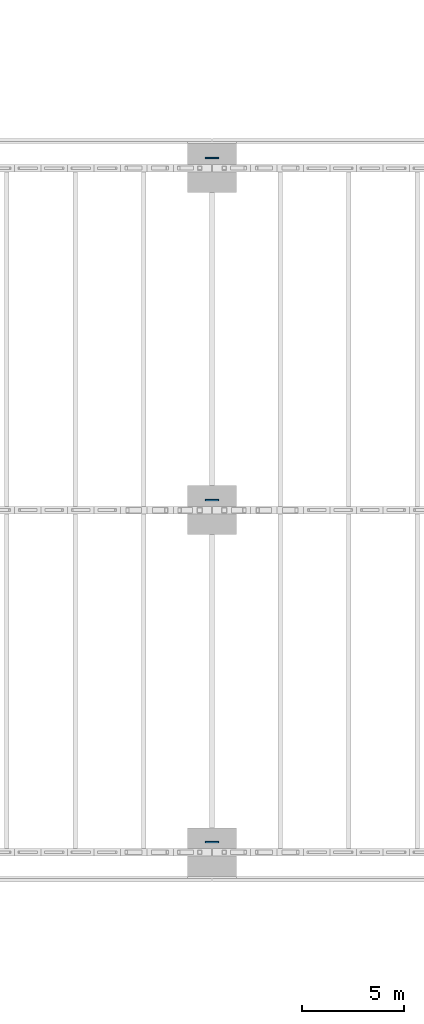
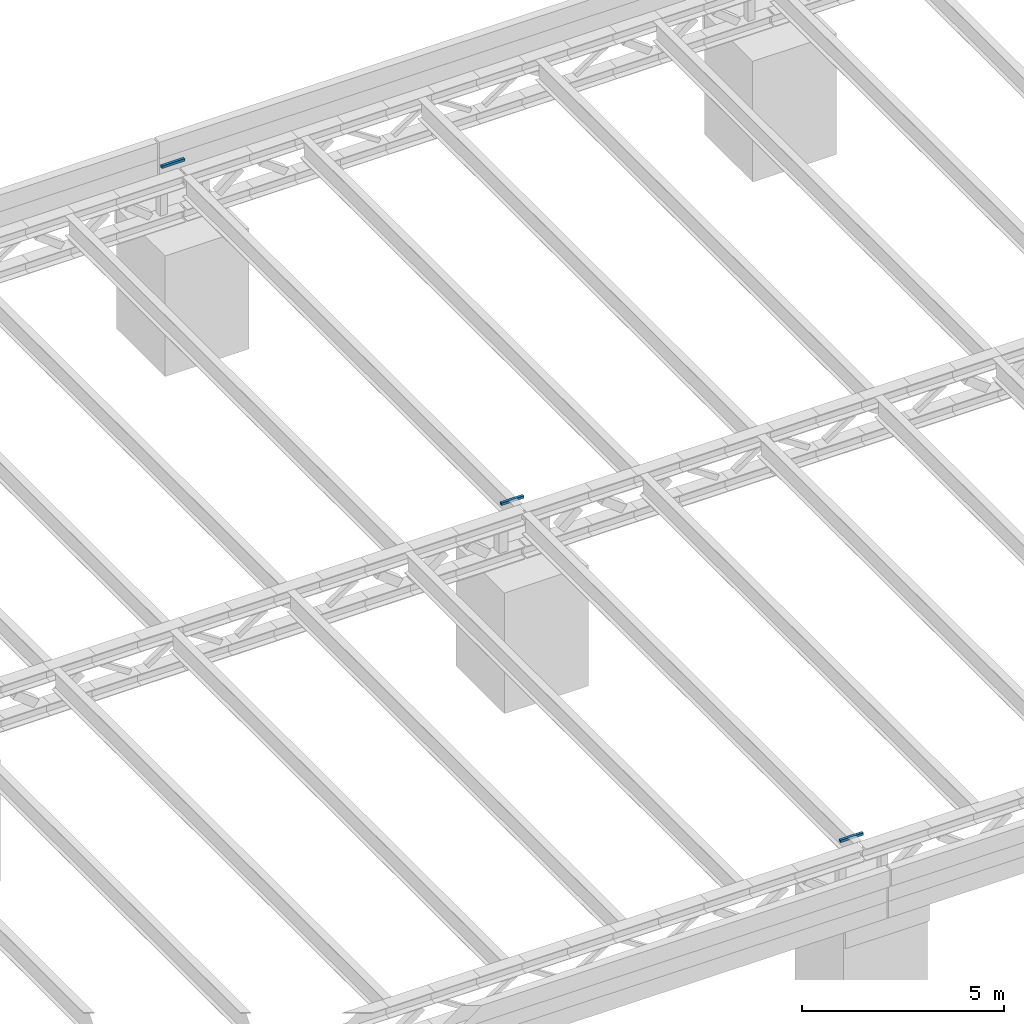
# One storey, part 63 of 93: 3 discrete accessories.
"""IFC4 building model written with IfcOpenShell, lengths in metres."""

from ifc_helpers import new_model, si_unit, direction, frame, origin, origin_2d, place, context, subcontext, project, spatial, rectangle, extrude, material, material_profile, profile_set, type_object, element, save


model = new_model("IFC4")

# Units and contexts
model_context = context("Model", 3, precision=1e-05, world=origin(), true_north=direction((0.0, 1.0)))
body_context = subcontext(model_context, "Body", "Model", "MODEL_VIEW")
ifc_project = project(units=[si_unit("LENGTHUNIT", "METRE"), si_unit("AREAUNIT", "SQUARE_METRE"), si_unit("VOLUMEUNIT", "CUBIC_METRE"), si_unit("PLANEANGLEUNIT", "RADIAN"), si_unit("MASSUNIT", "GRAM", prefix="KILO")], contexts=[model_context])

# Site, building, storey
site_placement = place(None, origin())
site = spatial("IfcSite", under=ifc_project, at=site_placement, CompositionType="ELEMENT")
building_placement = place(site_placement, origin())
building = spatial("IfcBuilding", under=site, at=building_placement, Name="Verrick Yard Athletic Hall", CompositionType="ELEMENT")
storey_placement = place(building_placement, frame((0.0, 0.0, 8.800048828125)))
storey = spatial("IfcBuildingStorey", under=building, at=storey_placement, Name="L02", CompositionType="ELEMENT", Elevation=8.800048828125)

# Discrete accessories
ifc_material = material(Name="Structural steel 350W (CSA G40.21)", Category="steel")
ifc_material_profile = material_profile(ifc_material, rectangle(XDim=0.074951171875, YDim=0.074951171875, at=origin_2d()), Name="STR Slip dowel SD1")
ifc_profile_set = profile_set([ifc_material_profile], Name="Structural steel 350W (CSA G40.21)")
discrete_accessory_type = type_object("IfcDiscreteAccessoryType", Name="STR Slip dowel SD1", PredefinedType="BRACKET", material=ifc_profile_set)
for number, where, z_axis, x_axis, name in (
    (1, (123.675048828125, 19.699951171875, 5.012451171875), (1.0, 0.0, 0.0), (0.0, 1.0, 0.0), "Slip dowel J2-1 DECK"),
    (2, (123.675048828125, 36.5, 5.012451171875), (1.0, 0.0, 0.0), (0.0, 1.0, 0.0), "Slip dowel J2-2 DECK"),
    (3, (123.675048828125, 53.300048828125, 5.012451171875), (1.0, 0.0, 0.0), (0.0, 1.0, 0.0), "Slip dowel J2-3 DECK"),
):
    element("IfcDiscreteAccessory", number, at=place(storey_placement, frame(where, z_axis=z_axis, x_axis=x_axis)), inside=storey, type_object=discrete_accessory_type, Name=name, PredefinedType="BRACKET", context=body_context, shape_type="SweptSolid", body=[
        extrude(rectangle(XDim=0.074951171875, YDim=0.074951171875, at=origin_2d()), origin(), (0.0, 0.0, 1.0), 0.64990234375),
    ])

save(model, "model.ifc")
